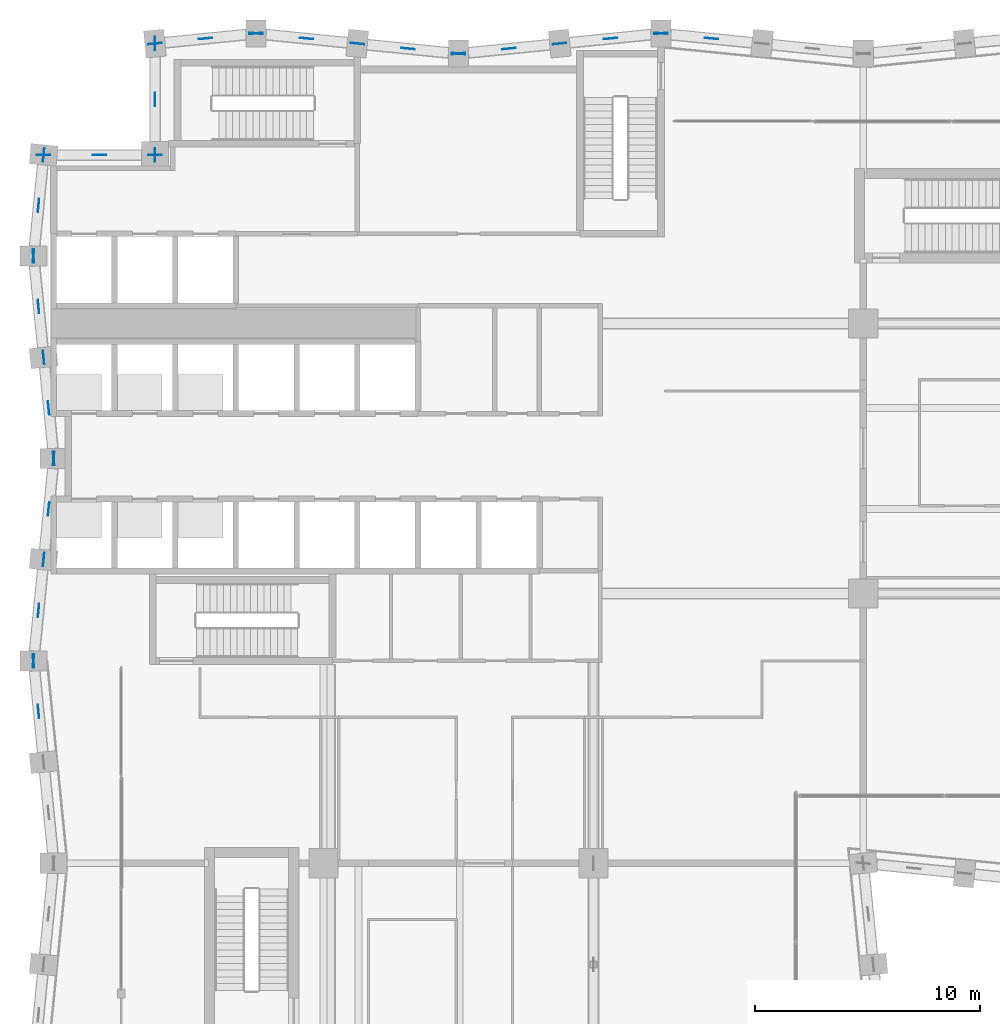
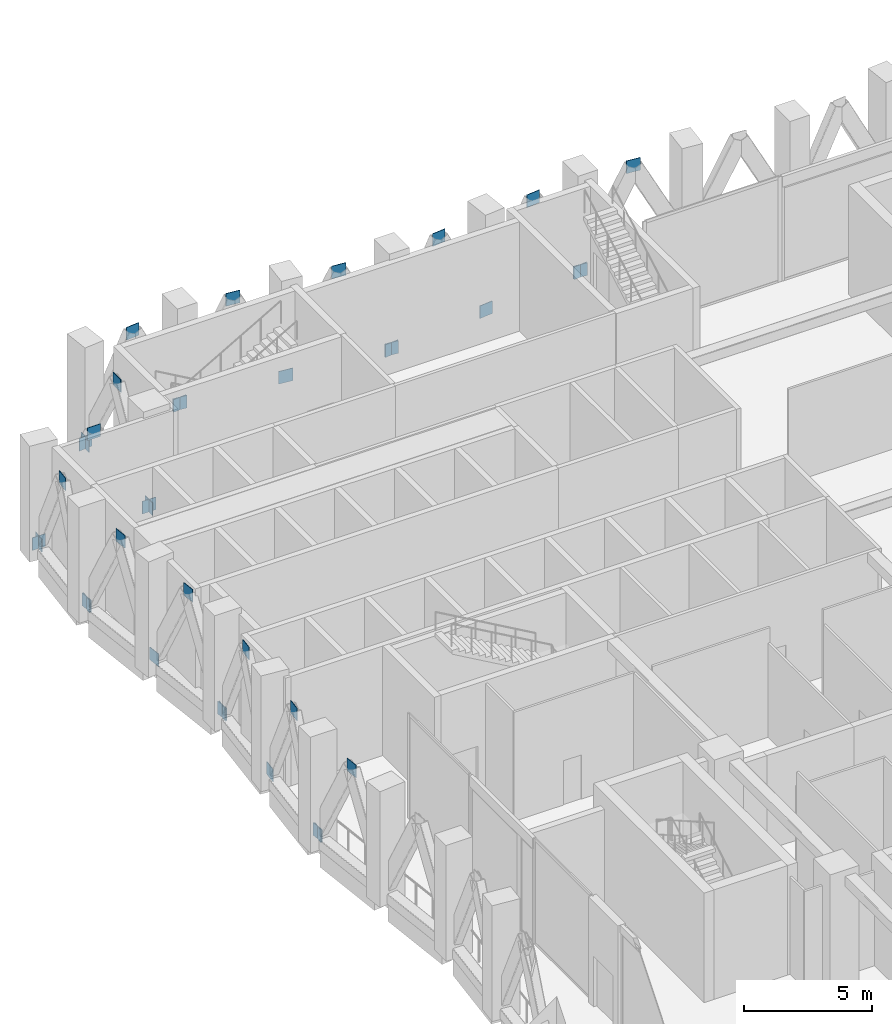
# One storey, part 29 of 37: 36 discrete accessories.
"""IFC4 building model written with IfcOpenShell, lengths in metres."""

from ifc_helpers import new_model, si_unit, direction, frame, origin, origin_2d, place, context, subcontext, project, spatial, rectangle, extrude, material, layer, layer_set, type_object, element, save


model = new_model("IFC4")

# Units and contexts
model_context = context("Model", 3, precision=1e-05, world=origin(), true_north=direction((0.0, 1.0)))
body_context = subcontext(model_context, "Body", "Model", "MODEL_VIEW")
ifc_project = project(units=[si_unit("LENGTHUNIT", "METRE"), si_unit("AREAUNIT", "SQUARE_METRE"), si_unit("VOLUMEUNIT", "CUBIC_METRE"), si_unit("PLANEANGLEUNIT", "RADIAN"), si_unit("MASSUNIT", "GRAM", prefix="KILO")], contexts=[model_context])

# Site, building, storey
site_placement = place(None, origin())
site = spatial("IfcSite", under=ifc_project, at=site_placement, CompositionType="ELEMENT")
building_placement = place(site_placement, origin())
building = spatial("IfcBuilding", under=site, at=building_placement, Name="Brondeck Convention Tower", CompositionType="ELEMENT")
storey_placement = place(building_placement, frame((0.0, 0.0, 137.89990234375)))
storey = spatial("IfcBuildingStorey", under=building, at=storey_placement, Name="L33", CompositionType="ELEMENT", Elevation=137.89990234375)

# Discrete accessories
ifc_material = material(Name="Steel S460", Category="steel")
ifc_layer = layer(ifc_material, 0.02490234375)
ifc_layer_set = layer_set([ifc_layer], Name="Gusset plate 600x600x25 Steel S460")
discrete_accessory_type = type_object("IfcDiscreteAccessoryType", Name="Gusset plate 600x600x25 Steel S460", PredefinedType="BRACKET", material=ifc_layer_set)
for number, where, z_axis, x_axis, name in (
    (1, (29.25, 63.675048828125, 4.550048828125), (0.0, 0.0, 1.0), (-0.9950364836, 0.099510784867, 0.0), "Gusset plate GP-434"),
    (2, (27.0, 63.89990234375, 0.199951171875), (0.0, 0.0, 1.0), (-0.9950364836, 0.099510784867, 0.0), "Gusset plate GP-435"),
    (3, (27.0, 63.89990234375, 0.199951171875), (0.0, 0.0, 1.0), (0.9950364836, 0.099510784867, 0.0), "Gusset plate GP-436"),
    (4, (24.75, 63.675048828125, 4.550048828125), (0.0, 0.0, 1.0), (0.9950364836, 0.099510784867, 0.0), "Gusset plate GP-437"),
    (5, (22.5, 63.449951171875, 0.199951171875), (0.0, 0.0, 1.0), (0.9950364836, 0.099510784867, 0.0), "Gusset plate GP-438"),
    (6, (20.25, 63.22509765625, 4.550048828125), (0.0, 0.0, 1.0), (0.9950364836, 0.099510784867, 0.0), "Gusset plate GP-439"),
    (7, (18.0, 63.0, 0.199951171875), (0.0, 0.0, 1.0), (0.9950364836, 0.099510784867, 0.0), "Gusset plate GP-440"),
    (8, (18.0, 63.0, 0.199951171875), (0.0, 0.0, 1.0), (-0.9950364836, 0.099510784867, 0.0), "Gusset plate GP-441"),
    (9, (15.75, 63.22509765625, 4.550048828125), (0.0, 0.0, 1.0), (-0.9950364836, 0.099510784867, 0.0), "Gusset plate GP-442"),
    (10, (13.5, 63.449951171875, 0.199951171875), (0.0, 0.0, 1.0), (-0.9950364836, 0.099510784867, 0.0), "Gusset plate GP-443"),
    (11, (11.25, 63.675048828125, 4.550048828125), (0.0, 0.0, 1.0), (-0.9950364836, 0.099510784867, 0.0), "Gusset plate GP-444"),
    (12, (9.0, 63.89990234375, 0.199951171875), (0.0, 0.0, 1.0), (-0.9950364836, 0.099510784867, 0.0), "Gusset plate GP-445"),
    (13, (9.0, 63.89990234375, 0.199951171875), (0.0, 0.0, 1.0), (0.9950364836, 0.099510784867, 0.0), "Gusset plate GP-446"),
    (14, (6.75, 63.675048828125, 4.550048828125), (0.0, 0.0, 1.0), (0.9950364836, 0.099510784867, 0.0), "Gusset plate GP-447"),
    (15, (4.5, 63.449951171875, 0.199951171875), (0.0, 0.0, 1.0), (0.9950364836, 0.099510784867, 0.0), "Gusset plate GP-448"),
    (16, (4.5, 63.449951171875, 0.199951171875), (0.0, 0.0, 1.0), (0.0, 1.0, 0.0), "Gusset plate GP-449"),
    (17, (4.5, 60.97509765625, 4.550048828125), (0.0, 0.0, 1.0), (0.0, 1.0, 0.0), "Gusset plate GP-450"),
    (18, (4.5, 58.5, 0.199951171875), (0.0, 0.0, 1.0), (0.0, 1.0, 0.0), "Gusset plate GP-451"),
    (19, (4.5, 58.5, 0.199951171875), (0.0, 0.0, 1.0), (1.0, 0.0, 0.0), "Gusset plate GP-452"),
    (20, (2.02490234375, 58.5, 4.550048828125), (0.0, 0.0, 1.0), (1.0, 0.0, 0.0), "Gusset plate GP-453"),
    (21, (-0.449951171875, 58.5, 0.199951171875), (0.0, 0.0, 1.0), (1.0, 0.0, 0.0), "Gusset plate GP-454"),
    (22, (-0.449951171875, 58.5, 0.199951171875), (0.0, 0.0, 1.0), (0.099510784867, 0.9950364836, 0.0), "Gusset plate GP-455"),
    (23, (-0.675048828125, 56.25, 4.550048828125), (0.0, 0.0, 1.0), (0.099510784867, 0.9950364836, 0.0), "Gusset plate GP-456"),
    (24, (-0.89990234375, 54.0, 0.199951171875), (0.0, 0.0, 1.0), (0.099510784867, 0.9950364836, 0.0), "Gusset plate GP-457"),
    (25, (-0.89990234375, 54.0, 0.199951171875), (0.0, 0.0, 1.0), (-0.099510784867, 0.9950364836, 0.0), "Gusset plate GP-458"),
    (26, (-0.675048828125, 51.75, 4.550048828125), (0.0, 0.0, 1.0), (-0.099510784867, 0.9950364836, 0.0), "Gusset plate GP-459"),
    (27, (-0.449951171875, 49.5, 0.199951171875), (0.0, 0.0, 1.0), (-0.099510784867, 0.9950364836, 0.0), "Gusset plate GP-460"),
    (28, (-0.22509765625, 47.25, 4.550048828125), (0.0, 0.0, 1.0), (-0.099510784867, 0.9950364836, 0.0), "Gusset plate GP-461"),
    (29, (0.0, 45.0, 0.199951171875), (0.0, 0.0, 1.0), (-0.099510784867, 0.9950364836, 0.0), "Gusset plate GP-462"),
    (30, (0.0, 45.0, 0.199951171875), (0.0, 0.0, 1.0), (0.099510784867, 0.9950364836, 0.0), "Gusset plate GP-463"),
    (31, (-0.22509765625, 42.75, 4.550048828125), (0.0, 0.0, 1.0), (0.099510784867, 0.9950364836, 0.0), "Gusset plate GP-464"),
    (32, (-0.449951171875, 40.5, 0.199951171875), (0.0, 0.0, 1.0), (0.099510784867, 0.9950364836, 0.0), "Gusset plate GP-465"),
    (33, (-0.675048828125, 38.25, 4.550048828125), (0.0, 0.0, 1.0), (0.099510784867, 0.9950364836, 0.0), "Gusset plate GP-466"),
    (34, (-0.89990234375, 36.0, 0.199951171875), (0.0, 0.0, 1.0), (0.099510784867, 0.9950364836, 0.0), "Gusset plate GP-467"),
    (35, (-0.89990234375, 36.0, 0.199951171875), (0.0, 0.0, 1.0), (-0.099510784867, 0.9950364836, 0.0), "Gusset plate GP-468"),
    (36, (-0.675048828125, 33.75, 4.550048828125), (0.0, 0.0, 1.0), (-0.099510784867, 0.9950364836, 0.0), "Gusset plate GP-469"),
):
    element("IfcDiscreteAccessory", number, at=place(storey_placement, frame(where, z_axis=z_axis, x_axis=x_axis)), inside=storey, type_object=discrete_accessory_type, Name=name, PredefinedType="BRACKET", context=body_context, shape_type="SweptSolid", body=[
        extrude(rectangle(XDim=0.60009765625, YDim=0.02490234375, at=origin_2d()), origin(), (0.0, 0.0, 1.0), 0.60009765625),
    ])

save(model, "model.ifc")
